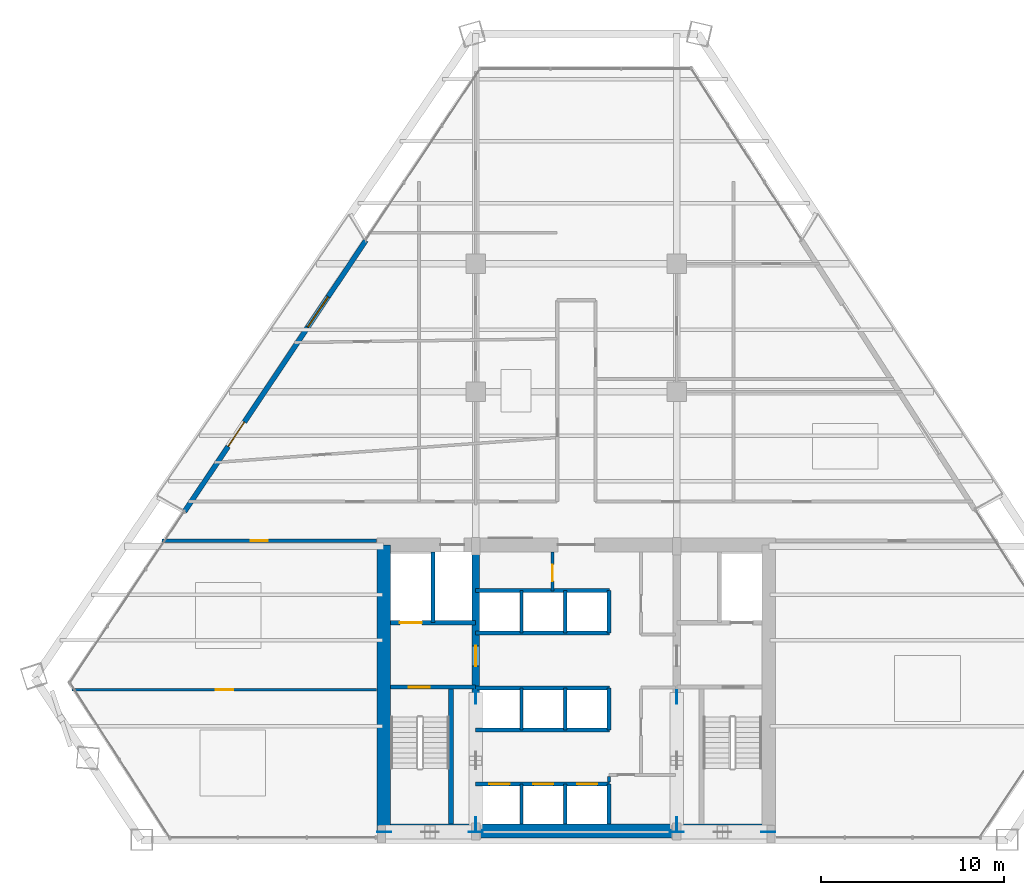
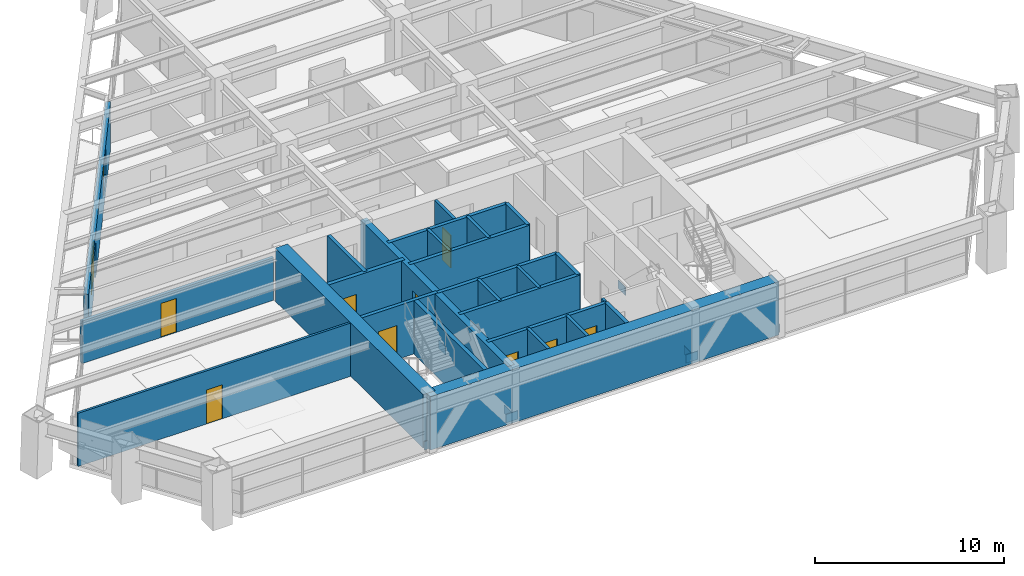
# One storey, part 10 of 14: 26 walls, 10 doors, 8 plates, 1 window, 11 openings.
"""IFC4 building model written with IfcOpenShell, lengths in metres."""

from ifc_helpers import new_model, si_unit, direction, frame, frame_2d, origin, origin_2d, place, context, subcontext, project, spatial, rectangle, extrude, source, transform, mapped, material, layer, layer_set, type_object, type_shapes, element, fill, save


model = new_model("IFC4")

# Units and contexts
model_context = context("Model", 3, precision=1e-05, world=origin(), true_north=direction((0.0, 1.0)))
body_context = subcontext(model_context, "Body", "Model", "MODEL_VIEW")
ifc_project = project(units=[si_unit("LENGTHUNIT", "METRE"), si_unit("AREAUNIT", "SQUARE_METRE"), si_unit("VOLUMEUNIT", "CUBIC_METRE"), si_unit("PLANEANGLEUNIT", "RADIAN"), si_unit("MASSUNIT", "GRAM", prefix="KILO")], contexts=[model_context])

# Site, building, storey
site_placement = place(None, origin())
site = spatial("IfcSite", under=ifc_project, at=site_placement, CompositionType="ELEMENT")
building_placement = place(site_placement, origin())
building = spatial("IfcBuilding", under=site, at=building_placement, Name="Varnakhor Terracotta Tower", CompositionType="ELEMENT")
storey_placement = place(building_placement, frame((0.0, 0.0, 106.199951171875)))
storey = spatial("IfcBuildingStorey", under=building, at=storey_placement, Name="L26", CompositionType="ELEMENT", Elevation=106.199951171875)

# Plates
ifc_material_1 = material(Name="Steel S460", Category="steel")
ifc_layer_1 = layer(ifc_material_1, 0.050048828125, Name="Steel S460")
ifc_layer_set_1 = layer_set([ifc_layer_1], Name="Steel S460")
plate_type = type_object("IfcPlateType", Name="PLT-GUSSET-50", PredefinedType="USERDEFINED", material=ifc_layer_set_1)
shared_shape_1 = source(origin(), body_context, "Body", "SweptSolid", [
    extrude(rectangle(XDim=0.75, YDim=0.0400390625, at=origin_2d()), origin(), (0.0, 0.0, 1.0), 0.550048828125),
])
type_shapes(plate_type, [shared_shape_1])
for number, where, z_axis, x_axis, name in (
    (1, (-10.5, 0.419921875, -0.09521484375), (0.0, 0.0, 1.0), (1.0, 0.0, 0.0), "L26 Core Brace Embed Plate CSWA"),
    (2, (-5.5, 0.419921875, -0.09521484375), (0.0, 0.0, 1.0), (1.0, 0.0, 0.0), "L26 Core Brace Embed Plate CSWB"),
    (3, (5.5, 0.419921875, -0.09521484375), (0.0, 0.0, 1.0), (1.0, 0.0, 0.0), "L26 Core Brace Embed Plate CSEA"),
    (4, (10.5, 0.419921875, -0.09521484375), (0.0, 0.0, 1.0), (1.0, 0.0, 0.0), "L26 Core Brace Embed Plate CSEB"),
    (5, (-5.5, 0.85009765625, -0.09521484375), (0.0, 0.0, 1.0), (0.0, 1.0, 0.0), "L26 Core Brace Embed Plate CWWA"),
    (6, (-5.5, 7.800048828125, -0.09521484375), (0.0, 0.0, 1.0), (0.0, 1.0, 0.0), "L26 Core Brace Embed Plate CWWB"),
    (7, (5.5, 0.85009765625, -0.09521484375), (0.0, 0.0, 1.0), (0.0, 1.0, 0.0), "L26 Core Brace Embed Plate CWEA"),
    (8, (5.5, 7.800048828125, -0.09521484375), (0.0, 0.0, 1.0), (0.0, 1.0, 0.0), "L26 Core Brace Embed Plate CWEB"),
):
    element("IfcPlate", number, at=place(storey_placement, frame(where, z_axis=z_axis, x_axis=x_axis)), inside=storey, type_object=plate_type, Name=name, ObjectType="GUSSET PLATE", PredefinedType="USERDEFINED", context=body_context, shape_type="MappedRepresentation", body=[
        mapped(shared_shape_1, transform((0.0, 0.0, 0.0), scale=1.0)),
    ])

# Walls
ifc_material_2 = material(Name="Concrete C60/75", Category="concrete")
ifc_layer_2 = layer(ifc_material_2, 0.75, Name="Concrete C60/75")
ifc_layer_set_2 = layer_set([ifc_layer_2], Name="Concrete C60/75")
wall_type_1 = type_object("IfcWallType", Name="WAL-CORE-750", PredefinedType="SHEAR", material=ifc_layer_set_2)
wall_1_placement = place(storey_placement, frame((-10.64990234375, 0.47509765625, 0.0), z_axis=(0.0, 0.0, 1.0), x_axis=(1.0, 0.0, 0.0)))
element("IfcWall", 9, at=wall_1_placement, inside=storey, type_object=wall_type_1, Name="L26 South Core Shear Wall", PredefinedType="SHEAR", context=body_context, shape_type="SweptSolid", body=[
    extrude(rectangle(XDim=21.2998046875, YDim=0.75, at=frame_2d((10.64990234375, 0.0))), origin(), (0.0, 0.0, 1.0), 3.449951171875),
])
wall_2_placement = place(storey_placement, frame((-10.52490234375, 0.47509765625, 0.0), z_axis=(0.0, 0.0, 1.0), x_axis=(0.0, 1.0, 0.0)))
element("IfcWall", 10, at=wall_2_placement, inside=storey, type_object=wall_type_1, Name="L26 West Core Shear Wall", PredefinedType="SHEAR", context=body_context, shape_type="SweptSolid", body=[
    extrude(rectangle(XDim=15.64990234375, YDim=0.75, at=frame_2d((7.824951171875, 0.0))), origin(), (0.0, 0.0, 1.0), 3.449951171875),
])

# Wall, opening, door
ifc_material_3 = material(Name="Concrete C50/60", Category="concrete")
ifc_layer_3 = layer(ifc_material_3, 0.39990234375, Name="Concrete C50/60")
ifc_layer_set_3 = layer_set([ifc_layer_3], Name="Concrete C50/60")
wall_type_2 = type_object("IfcWallType", Name="WAL-CORE-WEB-400", PredefinedType="SHEAR", material=ifc_layer_set_3)
wall_3_placement = place(storey_placement, frame((-5.5, 0.47509765625, 0.0), z_axis=(0.0, 0.0, 1.0), x_axis=(0.0, 1.0, 0.0)))
wall_3 = element("IfcWall", 11, at=wall_3_placement, inside=storey, type_object=wall_type_2, Name="L26 West Core Web Shear Wall", PredefinedType="SHEAR", context=body_context, shape_type="SweptSolid", body=[
    extrude(rectangle(XDim=15.64990234375, YDim=0.39990234375, at=frame_2d((7.824951171875, 0.0))), origin(), (0.0, 0.0, 1.0), 3.449951171875),
])
opening_1_placement = place(wall_3_placement, frame((9.02490234375, 0.0, 0.0)))
opening_1 = element("IfcOpeningElement", 12, at=opening_1_placement, cuts=wall_3, Name="Opening DR-25", PredefinedType="OPENING", context=body_context, shape_type="SweptSolid", body=[
    extrude(rectangle(XDim=1.10009765625, YDim=2.199951171875, at=frame_2d((0.550048828125, 1.10009765625))), frame((0.0, 0.2099609375, 0.0), z_axis=(0.0, -1.0, 0.0), x_axis=(1.0, 0.0, 0.0)), (0.0, 0.0, 1.0), 0.419921875),
])
ifc_material_4 = material(Name="Firefighting Lobby Self-Closing Fire Door", Category="steel")
door_type_1 = type_object("IfcDoorType", Name="DR-FFL-1100X2200", OperationType="NOTDEFINED", PredefinedType="DOOR", material=ifc_material_4)
shared_shape_2 = source(origin(), body_context, "Body", "SweptSolid", [
    extrude(rectangle(XDim=1.10009765625, YDim=2.199951171875, at=frame_2d((0.550048828125, 1.10009765625))), frame((0.0, 0.02490234375, 0.0), z_axis=(0.0, -1.0, 0.0), x_axis=(1.0, 0.0, 0.0)), (0.0, 0.0, 1.0), 0.050048828125),
])
type_shapes(door_type_1, [shared_shape_2])
door_1_placement = place(opening_1_placement, origin())
door_1 = element("IfcDoor", 13, at=door_1_placement, inside=storey, type_object=door_type_1, Name="L26 West Firefighting Lobby Door", OperationType="SINGLE_SWING_RIGHT", OverallHeight=2.199951171875, OverallWidth=1.10009765625, PredefinedType="DOOR", context=body_context, shape_type="MappedRepresentation", body=[
    mapped(shared_shape_2, transform((0.0, 0.0, 0.0), scale=1.0)),
])
fill(opening_1, door_1)

ifc_material_5 = material(Name="Fire-Rated Gypsum Stud Partition", Category="gypsum")
ifc_layer_4 = layer(ifc_material_5, 0.18505859375, Name="Fire-Rated Gypsum Stud Partition")
ifc_layer_set_4 = layer_set([ifc_layer_4], Name="Fire-Rated Gypsum Stud Partition")
wall_type_3 = type_object("IfcWallType", Name="WAL-CORR-185", PredefinedType="PARTITIONING", material=ifc_layer_set_4)
wall_4_placement = place(storey_placement, frame((-22.6494140625, 16.35009765625, 0.0), z_axis=(0.0, 0.0, 1.0), x_axis=(1.0, 0.0, 0.0)))
wall_4 = element("IfcWall", 14, at=wall_4_placement, inside=storey, type_object=wall_type_3, Name="L26 South West Corridor Wall", PredefinedType="PARTITIONING", context=body_context, shape_type="SweptSolid", body=[
    extrude(rectangle(XDim=11.7294921875, YDim=0.18505859375, at=frame_2d((5.86474609375, 0.0))), origin(), (0.0, 0.0, 1.0), 2.7470703125),
])
opening_2_placement = place(wall_4_placement, frame((4.83740234375, 0.0, 0.0)))
opening_2 = element("IfcOpeningElement", 15, at=opening_2_placement, cuts=wall_4, Name="Opening DR-94", PredefinedType="OPENING", context=body_context, shape_type="SweptSolid", body=[
    extrude(rectangle(XDim=0.949951171875, YDim=2.199951171875, at=frame_2d((0.47509765625, 1.10009765625))), frame((0.0, 0.1025390625, 0.0), z_axis=(0.0, -1.0, 0.0), x_axis=(1.0, 0.0, 0.0)), (0.0, 0.0, 1.0), 0.205078125),
])
ifc_material_6 = material(Name="Acoustic Glazed-Vision Timber Office Door", Category="wood")
door_type_2 = type_object("IfcDoorType", Name="DR-OFF-950X2200", OperationType="NOTDEFINED", PredefinedType="DOOR", material=ifc_material_6)
shared_shape_3 = source(origin(), body_context, "Body", "SweptSolid", [
    extrude(rectangle(XDim=0.949951171875, YDim=2.199951171875, at=frame_2d((0.47509765625, 1.10009765625))), frame((0.0, 0.02490234375, 0.0), z_axis=(0.0, -1.0, 0.0), x_axis=(1.0, 0.0, 0.0)), (0.0, 0.0, 1.0), 0.050048828125),
])
type_shapes(door_type_2, [shared_shape_3])
door_2_placement = place(opening_2_placement, origin())
door_2 = element("IfcDoor", 16, at=door_2_placement, inside=storey, type_object=door_type_2, Name="L26 SW Suite Door", OperationType="SINGLE_SWING_LEFT", OverallHeight=2.199951171875, OverallWidth=0.949951171875, PredefinedType="DOOR", context=body_context, shape_type="MappedRepresentation", body=[
    mapped(shared_shape_3, transform((0.0, 0.0, 0.0), scale=1.0)),
])
fill(opening_2, door_2)

# Wall, openings, door, window
ifc_material_7 = material(Name="Extruded Architectural Terracotta Assembly", Category="masonry")
ifc_layer_5 = layer(ifc_material_7, 0.280029296875, Name="Extruded Architectural Terracotta Assembly")
ifc_layer_set_5 = layer_set([ifc_layer_5], Name="Extruded Architectural Terracotta Assembly")
wall_type_4 = type_object("IfcWallType", Name="WAL-EXT-TERRACOTTA-280", PredefinedType="SOLIDWALL", material=ifc_layer_set_5)
wall_5_placement = place(storey_placement, frame((-21.418212890625, 17.958251953125, 0.0), z_axis=(0.0, 0.0, 1.0), x_axis=(0.555695210114, 0.83138609169, 0.0)))
wall_5 = element("IfcWall", 17, at=wall_5_placement, inside=storey, type_object=wall_type_4, Name="L26 W Loggia Insulated Terracotta Wall", PredefinedType="SOLIDWALL", context=body_context, shape_type="SweptSolid", body=[
    extrude(rectangle(XDim=17.828857421875, YDim=0.280029296875, at=frame_2d((8.91455078125, 0.0))), origin(), (0.0, 0.0, 1.0), 3.030029296875),
])
opening_3_placement = place(wall_5_placement, frame((4.27880859375, 0.0, 0.0)))
opening_3 = element("IfcOpeningElement", 18, at=opening_3_placement, cuts=wall_5, Name="Opening DR-62", PredefinedType="OPENING", context=body_context, shape_type="SweptSolid", body=[
    extrude(rectangle(XDim=1.60009765625, YDim=2.35009765625, at=frame_2d((0.800048828125, 1.175048828125))), frame((0.0, 0.14990234375, 0.0), z_axis=(0.0, -1.0, 0.0), x_axis=(1.0, 0.0, 0.0)), (0.0, 0.0, 1.0), 0.300048828125),
])
opening_4_placement = place(wall_5_placement, frame((12.123779296875, 0.0, 0.89990234375)))
opening_4 = element("IfcOpeningElement", 19, at=opening_4_placement, cuts=wall_5, Name="Opening WN-26", PredefinedType="OPENING", context=body_context, shape_type="SweptSolid", body=[
    extrude(rectangle(XDim=2.0, YDim=1.85009765625, at=frame_2d((1.0, 0.925048828125))), frame((0.0, 0.14990234375, 0.0), z_axis=(0.0, -1.0, 0.0), x_axis=(1.0, 0.0, 0.0)), (0.0, 0.0, 1.0), 0.300048828125),
])
ifc_material_8 = material(Name="Thermally Broken Sliding Glass Loggia Door", Category="glass")
door_type_3 = type_object("IfcDoorType", Name="DR-EXT-LOGGIA-1600X2350", OperationType="NOTDEFINED", PredefinedType="DOOR", material=ifc_material_8)
shared_shape_4 = source(origin(), body_context, "Body", "SweptSolid", [
    extrude(rectangle(XDim=1.60009765625, YDim=2.35009765625, at=frame_2d((0.800048828125, 1.175048828125))), frame((0.0, 0.02490234375, 0.0), z_axis=(0.0, -1.0, 0.0), x_axis=(1.0, 0.0, 0.0)), (0.0, 0.0, 1.0), 0.050048828125),
])
type_shapes(door_type_3, [shared_shape_4])
door_3_placement = place(opening_3_placement, origin())
door_3 = element("IfcDoor", 20, at=door_3_placement, inside=storey, type_object=door_type_3, Name="L26 W Recessed Loggia Sliding Door", OperationType="SLIDING_TO_LEFT", OverallHeight=2.35009765625, OverallWidth=1.60009765625, PredefinedType="DOOR", context=body_context, shape_type="MappedRepresentation", body=[
    mapped(shared_shape_4, transform((0.0, 0.0, 0.0), scale=1.0)),
])
fill(opening_3, door_3)
ifc_material_9 = material(Name="Solar-Control Low-E Insulated Glass Unit", Category="glass")
window_type = type_object("IfcWindowType", Name="WIN-OFF-2200X2100", PartitioningType="SINGLE_PANEL", PredefinedType="WINDOW", material=ifc_material_9)
shared_shape_5 = source(origin(), body_context, "Body", "SweptSolid", [
    extrude(rectangle(XDim=2.0, YDim=1.85009765625, at=frame_2d((1.0, 0.925048828125))), frame((0.0, 0.030029296875, 0.0), z_axis=(0.0, -1.0, 0.0), x_axis=(1.0, 0.0, 0.0)), (0.0, 0.0, 1.0), 0.06005859375),
])
type_shapes(window_type, [shared_shape_5])
window_placement = place(opening_4_placement, origin())
window = element("IfcWindow", 21, at=window_placement, inside=storey, type_object=window_type, Name="L26 W Facet Punched Window", OverallHeight=1.85009765625, OverallWidth=2.0, PartitioningType="SINGLE_PANEL", PredefinedType="WINDOW", context=body_context, shape_type="MappedRepresentation", body=[
    mapped(shared_shape_5, transform((0.0, 0.0, 0.0), scale=1.0)),
])
fill(opening_4, window)

# Wall, opening, door
ifc_material_10 = material(Name="Concrete C40/50", Category="concrete")
ifc_layer_6 = layer(ifc_material_10, 0.219970703125, Name="Concrete C40/50")
ifc_layer_set_6 = layer_set([ifc_layer_6], Name="Concrete C40/50")
wall_type_5 = type_object("IfcWallType", Name="WAL-FFLOBBY-220", PredefinedType="SOLIDWALL", material=ifc_layer_set_6)
wall_6_placement = place(storey_placement, frame((-5.5, 8.35009765625, 0.0), z_axis=(0.0, 0.0, 1.0), x_axis=(-1.0, 0.0, 0.0)))
wall_6 = element("IfcWall", 22, at=wall_6_placement, inside=storey, type_object=wall_type_5, Name="L26 West Firefighting Lobby Stair Wall", PredefinedType="SOLIDWALL", context=body_context, shape_type="SweptSolid", body=[
    extrude(rectangle(XDim=4.64990234375, YDim=0.219970703125, at=frame_2d((2.324951171875, 0.0))), origin(), (0.0, 0.0, 1.0), 3.449951171875),
])
opening_5_placement = place(wall_6_placement, frame((2.5, 0.0, 0.0)))
opening_5 = element("IfcOpeningElement", 23, at=opening_5_placement, cuts=wall_6, Name="Opening DR-34", PredefinedType="OPENING", context=body_context, shape_type="SweptSolid", body=[
    extrude(rectangle(XDim=1.14990234375, YDim=2.199951171875, at=frame_2d((0.574951171875, 1.10009765625))), frame((0.0, 0.1201171875, 0.0), z_axis=(0.0, -1.0, 0.0), x_axis=(1.0, 0.0, 0.0)), (0.0, 0.0, 1.0), 0.239990234375),
])
ifc_material_11 = material(Name="Self-Closing Smoke-Sealed Steel Fire Door", Category="steel")
door_type_4 = type_object("IfcDoorType", Name="DR-STAIR-1150X2200", OperationType="NOTDEFINED", PredefinedType="DOOR", material=ifc_material_11)
shared_shape_6 = source(origin(), body_context, "Body", "SweptSolid", [
    extrude(rectangle(XDim=1.14990234375, YDim=2.199951171875, at=frame_2d((0.574951171875, 1.10009765625))), frame((0.0, 0.02490234375, 0.0), z_axis=(0.0, -1.0, 0.0), x_axis=(1.0, 0.0, 0.0)), (0.0, 0.0, 1.0), 0.050048828125),
])
type_shapes(door_type_4, [shared_shape_6])
door_4_placement = place(opening_5_placement, origin())
door_4 = element("IfcDoor", 24, at=door_4_placement, inside=storey, type_object=door_type_4, Name="L26 Exit Stair ST-1 Fire Door", OperationType="SINGLE_SWING_LEFT", OverallHeight=2.199951171875, OverallWidth=1.14990234375, PredefinedType="DOOR", context=body_context, shape_type="MappedRepresentation", body=[
    mapped(shared_shape_6, transform((0.0, 0.0, 0.0), scale=1.0)),
])
fill(opening_5, door_4)

ifc_material_12 = material(Name="Acoustic Metal-Stud Partition", Category="gypsum")
ifc_layer_7 = layer(ifc_material_12, 0.139892578125, Name="Acoustic Metal-Stud Partition")
ifc_layer_set_7 = layer_set([ifc_layer_7], Name="Acoustic Metal-Stud Partition")
wall_type_6 = type_object("IfcWallType", Name="WAL-PART-140", PredefinedType="PARTITIONING", material=ifc_layer_set_7)
wall_7_placement = place(storey_placement, frame((-27.567626953125, 8.199951171875, 0.0), z_axis=(0.0, 0.0, 1.0), x_axis=(1.0, 0.0, 0.0)))
wall_7 = element("IfcWall", 25, at=wall_7_placement, inside=storey, type_object=wall_type_6, Name="L26 South West Cut 1", PredefinedType="PARTITIONING", context=body_context, shape_type="SweptSolid", body=[
    extrude(rectangle(XDim=16.647705078125, YDim=0.139892578125, at=frame_2d((8.32373046875, 0.0))), origin(), (0.0, 0.0, 1.0), 3.442138671875),
])
opening_6_placement = place(wall_7_placement, frame((7.857666015625, 0.0, 0.0)))
opening_6 = element("IfcOpeningElement", 26, at=opening_6_placement, cuts=wall_7, Name="Opening DR-94", PredefinedType="OPENING", context=body_context, shape_type="SweptSolid", body=[
    extrude(rectangle(XDim=0.949951171875, YDim=2.199951171875, at=frame_2d((0.47509765625, 1.10009765625))), frame((0.0, 0.080078125, 0.0), z_axis=(0.0, -1.0, 0.0), x_axis=(1.0, 0.0, 0.0)), (0.0, 0.0, 1.0), 0.159912109375),
])
door_5_placement = place(opening_6_placement, origin())
door_5 = element("IfcDoor", 27, at=door_5_placement, inside=storey, type_object=door_type_2, Name="L26 South West Executive Office Door", OperationType="SINGLE_SWING_LEFT", OverallHeight=2.199951171875, OverallWidth=0.949951171875, PredefinedType="DOOR", context=body_context, shape_type="MappedRepresentation", body=[
    mapped(shared_shape_3, transform((0.0, 0.0, 0.0), scale=1.0)),
])
fill(opening_6, door_5)

# Walls
ifc_layer_8 = layer(ifc_material_10, 0.179931640625, Name="Concrete C40/50")
ifc_layer_set_8 = layer_set([ifc_layer_8], Name="Concrete C40/50")
wall_type_7 = type_object("IfcWallType", Name="WAL-SHAFT-180", PredefinedType="SOLIDWALL", material=ifc_layer_set_8)
for number, where, z_axis, x_axis, name in (
    (28, (-3.0, 0.85009765625, 0.0), (0.0, 0.0, 1.0), (0.0, 1.0, 0.0), "L26 PL-1A Divider"),
    (29, (-0.60009765625, 0.85009765625, 0.0), (0.0, 0.0, 1.0), (0.0, 1.0, 0.0), "L26 PL-1B Divider"),
):
    element("IfcWall", number, at=place(storey_placement, frame(where, z_axis=z_axis, x_axis=x_axis)), inside=storey, type_object=wall_type_7, Name=name, PredefinedType="SOLIDWALL", context=body_context, shape_type="SweptSolid", body=[
        extrude(rectangle(XDim=2.199951171875, YDim=0.179931640625, at=frame_2d((1.10009765625, 0.0))), origin(), (0.0, 0.0, 1.0), 3.449951171875),
    ])
for number, where, z_axis, x_axis, name in (
    (30, (-3.0, 6.0, 0.0), (0.0, 0.0, 1.0), (0.0, 1.0, 0.0), "L26 PL-2A Divider"),
    (31, (-0.60009765625, 6.0, 0.0), (0.0, 0.0, 1.0), (0.0, 1.0, 0.0), "L26 PL-2B Divider"),
    (32, (-3.0, 11.320068359375, 0.0), (0.0, 0.0, 1.0), (0.0, 1.0, 0.0), "L26 PL-3A Divider"),
    (33, (-0.60009765625, 11.320068359375, 0.0), (0.0, 0.0, 1.0), (0.0, 1.0, 0.0), "L26 PL-3B Divider"),
):
    element("IfcWall", number, at=place(storey_placement, frame(where, z_axis=z_axis, x_axis=x_axis)), inside=storey, type_object=wall_type_7, Name=name, PredefinedType="SOLIDWALL", context=body_context, shape_type="SweptSolid", body=[
        extrude(rectangle(XDim=2.300048828125, YDim=0.179931640625, at=frame_2d((1.14990234375, 0.0))), origin(), (0.0, 0.0, 1.0), 3.449951171875),
    ])
ifc_layer_9 = layer(ifc_material_10, 0.219970703125, Name="Concrete C40/50")
ifc_layer_set_9 = layer_set([ifc_layer_9], Name="Concrete C40/50")
wall_type_8 = type_object("IfcWallType", Name="WAL-SHAFT-220", PredefinedType="SOLIDWALL", material=ifc_layer_set_9)
wall_8_placement = place(storey_placement, frame((-7.840087890625, 11.8701171875, 0.0), z_axis=(0.0, 0.0, 1.0), x_axis=(0.0, 1.0, 0.0)))
element("IfcWall", 34, at=wall_8_placement, inside=storey, type_object=wall_type_8, Name="L26 Lift FFL-1 and SVL-1 Divider Wall", PredefinedType="SOLIDWALL", context=body_context, shape_type="SweptSolid", body=[
    extrude(rectangle(XDim=3.8798828125, YDim=0.219970703125, at=frame_2d((1.93994140625, 0.0))), origin(), (0.0, 0.0, 1.0), 3.449951171875),
])

# Wall, openings, doors
wall_9_placement = place(storey_placement, frame((-5.5, 3.050048828125, 0.0), z_axis=(0.0, 0.0, 1.0), x_axis=(1.0, 0.0, 0.0)))
wall_9 = element("IfcWall", 35, at=wall_9_placement, inside=storey, type_object=wall_type_8, Name="L26 Bank 1 Lift Shaft Wall", PredefinedType="SOLIDWALL", context=body_context, shape_type="SweptSolid", body=[
    extrude(rectangle(XDim=7.320068359375, YDim=0.219970703125, at=frame_2d((3.66015625, 0.0))), origin(), (0.0, 0.0, 1.0), 3.449951171875),
])
opening_7_placement = place(wall_9_placement, frame((0.75, 0.0, 0.0)))
opening_7 = element("IfcOpeningElement", 36, at=opening_7_placement, cuts=wall_9, Name="Opening LD-01", PredefinedType="OPENING", context=body_context, shape_type="SweptSolid", body=[
    extrude(rectangle(XDim=1.10009765625, YDim=2.199951171875, at=frame_2d((0.550048828125, 1.10009765625))), frame((0.0, 0.1201171875, 0.0), z_axis=(0.0, -1.0, 0.0), x_axis=(1.0, 0.0, 0.0)), (0.0, 0.0, 1.0), 0.239990234375),
])
opening_8_placement = place(wall_9_placement, frame((3.14990234375, 0.0, 0.0)))
opening_8 = element("IfcOpeningElement", 37, at=opening_8_placement, cuts=wall_9, Name="Opening LD-01", PredefinedType="OPENING", context=body_context, shape_type="SweptSolid", body=[
    extrude(rectangle(XDim=1.10009765625, YDim=2.199951171875, at=frame_2d((0.550048828125, 1.10009765625))), frame((0.0, 0.1201171875, 0.0), z_axis=(0.0, -1.0, 0.0), x_axis=(1.0, 0.0, 0.0)), (0.0, 0.0, 1.0), 0.239990234375),
])
opening_9_placement = place(wall_9_placement, frame((5.550048828125, 0.0, 0.0)))
opening_9 = element("IfcOpeningElement", 38, at=opening_9_placement, cuts=wall_9, Name="Opening LD-01", PredefinedType="OPENING", context=body_context, shape_type="SweptSolid", body=[
    extrude(rectangle(XDim=1.10009765625, YDim=2.199951171875, at=frame_2d((0.550048828125, 1.10009765625))), frame((0.0, 0.1201171875, 0.0), z_axis=(0.0, -1.0, 0.0), x_axis=(1.0, 0.0, 0.0)), (0.0, 0.0, 1.0), 0.239990234375),
])
ifc_material_13 = material(Name="Brushed Stainless Steel Sliding Lift Landing Door", Category="steel")
door_type_5 = type_object("IfcDoorType", Name="LD-PASS-1100X2200", OperationType="NOTDEFINED", PredefinedType="DOOR", material=ifc_material_13)
shared_shape_7 = source(origin(), body_context, "Body", "SweptSolid", [
    extrude(rectangle(XDim=1.10009765625, YDim=2.199951171875, at=frame_2d((0.550048828125, 1.10009765625))), frame((0.0, 0.02490234375, 0.0), z_axis=(0.0, -1.0, 0.0), x_axis=(1.0, 0.0, 0.0)), (0.0, 0.0, 1.0), 0.050048828125),
])
type_shapes(door_type_5, [shared_shape_7])
door_6_placement = place(opening_7_placement, origin())
door_6 = element("IfcDoor", 39, at=door_6_placement, inside=storey, type_object=door_type_5, Name="L26 Passenger Lift PL-1A Landing Door", OperationType="SLIDING_TO_RIGHT", OverallHeight=2.199951171875, OverallWidth=1.10009765625, PredefinedType="DOOR", context=body_context, shape_type="MappedRepresentation", body=[
    mapped(shared_shape_7, transform((0.0, 0.0, 0.0), scale=1.0)),
])
fill(opening_7, door_6)
door_7_placement = place(opening_8_placement, origin())
door_7 = element("IfcDoor", 40, at=door_7_placement, inside=storey, type_object=door_type_5, Name="L26 Passenger Lift PL-1B Landing Door", OperationType="SLIDING_TO_RIGHT", OverallHeight=2.199951171875, OverallWidth=1.10009765625, PredefinedType="DOOR", context=body_context, shape_type="MappedRepresentation", body=[
    mapped(shared_shape_7, transform((0.0, 0.0, 0.0), scale=1.0)),
])
fill(opening_8, door_7)
door_8_placement = place(opening_9_placement, origin())
door_8 = element("IfcDoor", 41, at=door_8_placement, inside=storey, type_object=door_type_5, Name="L26 Passenger Lift PL-1C Landing Door", OperationType="SLIDING_TO_RIGHT", OverallHeight=2.199951171875, OverallWidth=1.10009765625, PredefinedType="DOOR", context=body_context, shape_type="MappedRepresentation", body=[
    mapped(shared_shape_7, transform((0.0, 0.0, 0.0), scale=1.0)),
])
fill(opening_9, door_8)

# Walls
wall_10_placement = place(storey_placement, frame((1.800048828125, 0.85009765625, 0.0), z_axis=(0.0, 0.0, 1.0), x_axis=(0.0, 1.0, 0.0)))
element("IfcWall", 42, at=wall_10_placement, inside=storey, type_object=wall_type_8, Name="L26 Bank 1 East Shaft Wall", PredefinedType="SOLIDWALL", context=body_context, shape_type="SweptSolid", body=[
    extrude(rectangle(XDim=2.199951171875, YDim=0.219970703125, at=frame_2d((1.10009765625, 0.0))), origin(), (0.0, 0.0, 1.0), 3.449951171875),
])
for number, where, z_axis, x_axis, name in (
    (43, (-5.5, 6.0, 0.0), (0.0, 0.0, 1.0), (1.0, 0.0, 0.0), "L26 Bank 2 South Shaft Wall"),
    (44, (-5.5, 8.300048828125, 0.0), (0.0, 0.0, 1.0), (1.0, 0.0, 0.0), "L26 Bank 2 North Shaft Wall"),
):
    element("IfcWall", number, at=place(storey_placement, frame(where, z_axis=z_axis, x_axis=x_axis)), inside=storey, type_object=wall_type_8, Name=name, PredefinedType="SOLIDWALL", context=body_context, shape_type="SweptSolid", body=[
        extrude(rectangle(XDim=7.320068359375, YDim=0.219970703125, at=frame_2d((3.66015625, 0.0))), origin(), (0.0, 0.0, 1.0), 3.449951171875),
    ])
wall_11_placement = place(storey_placement, frame((1.800048828125, 6.0, 0.0), z_axis=(0.0, 0.0, 1.0), x_axis=(0.0, 1.0, 0.0)))
element("IfcWall", 45, at=wall_11_placement, inside=storey, type_object=wall_type_8, Name="L26 Bank 2 East Shaft Wall", PredefinedType="SOLIDWALL", context=body_context, shape_type="SweptSolid", body=[
    extrude(rectangle(XDim=2.300048828125, YDim=0.219970703125, at=frame_2d((1.14990234375, 0.0))), origin(), (0.0, 0.0, 1.0), 3.449951171875),
])
for number, where, z_axis, x_axis, name in (
    (46, (-5.5, 11.320068359375, 0.0), (0.0, 0.0, 1.0), (1.0, 0.0, 0.0), "L26 Bank 3 South Shaft Wall"),
    (47, (-5.5, 13.6201171875, 0.0), (0.0, 0.0, 1.0), (1.0, 0.0, 0.0), "L26 Bank 3 North Shaft Wall"),
):
    element("IfcWall", number, at=place(storey_placement, frame(where, z_axis=z_axis, x_axis=x_axis)), inside=storey, type_object=wall_type_8, Name=name, PredefinedType="SOLIDWALL", context=body_context, shape_type="SweptSolid", body=[
        extrude(rectangle(XDim=7.320068359375, YDim=0.219970703125, at=frame_2d((3.66015625, 0.0))), origin(), (0.0, 0.0, 1.0), 3.449951171875),
    ])
wall_12_placement = place(storey_placement, frame((1.800048828125, 11.320068359375, 0.0), z_axis=(0.0, 0.0, 1.0), x_axis=(0.0, 1.0, 0.0)))
element("IfcWall", 48, at=wall_12_placement, inside=storey, type_object=wall_type_8, Name="L26 Bank 3 East Shaft Wall", PredefinedType="SOLIDWALL", context=body_context, shape_type="SweptSolid", body=[
    extrude(rectangle(XDim=2.300048828125, YDim=0.219970703125, at=frame_2d((1.14990234375, 0.0))), origin(), (0.0, 0.0, 1.0), 3.449951171875),
])
ifc_layer_10 = layer(ifc_material_10, 0.25, Name="Concrete C40/50")
ifc_layer_set_10 = layer_set([ifc_layer_10], Name="Concrete C40/50")
wall_type_9 = type_object("IfcWallType", Name="WAL-SHAFT-250", PredefinedType="SOLIDWALL", material=ifc_layer_set_10)
wall_13_placement = place(storey_placement, frame((-6.85009765625, 0.85009765625, 0.0), z_axis=(0.0, 0.0, 1.0), x_axis=(0.0, 1.0, 0.0)))
element("IfcWall", 49, at=wall_13_placement, inside=storey, type_object=wall_type_9, Name="L26 Stair ST-1 Bearing Shaft Wall", PredefinedType="SOLIDWALL", context=body_context, shape_type="SweptSolid", body=[
    extrude(rectangle(XDim=7.5, YDim=0.25, at=frame_2d((3.75, 0.0))), origin(), (0.0, 0.0, 1.0), 3.449951171875),
])

# Wall, opening, door
wall_14_placement = place(storey_placement, frame((-5.5, 11.8701171875, 0.0), z_axis=(0.0, 0.0, 1.0), x_axis=(-1.0, 0.0, 0.0)))
wall_14 = element("IfcWall", 50, at=wall_14_placement, inside=storey, type_object=wall_type_9, Name="L26 Lift FFL-1 Shaft Front Wall", PredefinedType="SOLIDWALL", context=body_context, shape_type="SweptSolid", body=[
    extrude(rectangle(XDim=4.64990234375, YDim=0.25, at=frame_2d((2.324951171875, 0.0))), origin(), (0.0, 0.0, 1.0), 3.449951171875),
])
opening_10_placement = place(wall_14_placement, frame((2.949951171875, 0.0, 0.0)))
opening_10 = element("IfcOpeningElement", 51, at=opening_10_placement, cuts=wall_14, Name="Opening LD-02", PredefinedType="OPENING", context=body_context, shape_type="SweptSolid", body=[
    extrude(rectangle(XDim=1.199951171875, YDim=2.25, at=frame_2d((0.60009765625, 1.125))), frame((0.0, 0.135009765625, 0.0), z_axis=(0.0, -1.0, 0.0), x_axis=(1.0, 0.0, 0.0)), (0.0, 0.0, 1.0), 0.27001953125),
])
ifc_material_14 = material(Name="Firefighting Stretcher Sliding Lift Landing Door", Category="steel")
door_type_6 = type_object("IfcDoorType", Name="LD-FFL-1200X2250", OperationType="NOTDEFINED", PredefinedType="DOOR", material=ifc_material_14)
shared_shape_8 = source(origin(), body_context, "Body", "SweptSolid", [
    extrude(rectangle(XDim=1.199951171875, YDim=2.25, at=frame_2d((0.60009765625, 1.125))), frame((0.0, 0.02490234375, 0.0), z_axis=(0.0, -1.0, 0.0), x_axis=(1.0, 0.0, 0.0)), (0.0, 0.0, 1.0), 0.050048828125),
])
type_shapes(door_type_6, [shared_shape_8])
door_9_placement = place(opening_10_placement, origin())
door_9 = element("IfcDoor", 52, at=door_9_placement, inside=storey, type_object=door_type_6, Name="L26 Firefighting Lift FFL-1 Landing Door", OperationType="SLIDING_TO_LEFT", OverallHeight=2.25, OverallWidth=1.199951171875, PredefinedType="DOOR", context=body_context, shape_type="MappedRepresentation", body=[
    mapped(shared_shape_8, transform((0.0, 0.0, 0.0), scale=1.0)),
])
fill(opening_10, door_9)

# Wall
ifc_material_15 = material(Name="Acoustic Fire-Rated Partition", Category="gypsum")
ifc_layer_11 = layer(ifc_material_15, 0.1650390625, Name="Acoustic Fire-Rated Partition")
ifc_layer_set_11 = layer_set([ifc_layer_11], Name="Acoustic Fire-Rated Partition")
wall_type_10 = type_object("IfcWallType", Name="WAL-TENANCY-165", PredefinedType="PARTITIONING", material=ifc_layer_set_11)
wall_15_placement = place(storey_placement, frame((1.800048828125, 3.159912109375, 0.0), z_axis=(0.0, 0.0, 1.0), x_axis=(0.0, 1.0, 0.0)))
element("IfcWall", 53, at=wall_15_placement, inside=storey, type_object=wall_type_10, Name="L26 Core South West Return Wall", PredefinedType="PARTITIONING", context=body_context, shape_type="SweptSolid", body=[
    extrude(rectangle(XDim=0.3076171875, YDim=0.1650390625, at=frame_2d((0.15380859375, 0.0))), origin(), (0.0, 0.0, 1.0), 3.442138671875),
])

# Wall, opening, door
wall_16_placement = place(storey_placement, frame((-1.300048828125, 13.60009765625, 0.0), z_axis=(0.0, 0.0, 1.0), x_axis=(0.0, 1.0, 0.0)))
wall_16 = element("IfcWall", 54, at=wall_16_placement, inside=storey, type_object=wall_type_10, Name="L26 Male Restroom Wall", PredefinedType="PARTITIONING", context=body_context, shape_type="SweptSolid", body=[
    extrude(rectangle(XDim=2.14990234375, YDim=0.1650390625, at=frame_2d((1.074951171875, 0.0))), origin(), (0.0, 0.0, 1.0), 3.442138671875),
])
opening_11_placement = place(wall_16_placement, frame((0.550048828125, 0.0, 0.0)))
opening_11 = element("IfcOpeningElement", 55, at=opening_11_placement, cuts=wall_16, Name="Opening DR-67", PredefinedType="OPENING", context=body_context, shape_type="SweptSolid", body=[
    extrude(rectangle(XDim=0.89990234375, YDim=2.10009765625, at=frame_2d((0.449951171875, 1.050048828125))), frame((0.0, 0.092529296875, 0.0), z_axis=(0.0, -1.0, 0.0), x_axis=(1.0, 0.0, 0.0)), (0.0, 0.0, 1.0), 0.18505859375),
])
ifc_material_16 = material(Name="Steel Service Riser Fire Door", Category="steel")
door_type_7 = type_object("IfcDoorType", Name="DR-RISER-900X2100", OperationType="NOTDEFINED", PredefinedType="DOOR", material=ifc_material_16)
shared_shape_9 = source(origin(), body_context, "Body", "SweptSolid", [
    extrude(rectangle(XDim=0.89990234375, YDim=2.10009765625, at=frame_2d((0.449951171875, 1.050048828125))), frame((0.0, 0.02490234375, 0.0), z_axis=(0.0, -1.0, 0.0), x_axis=(1.0, 0.0, 0.0)), (0.0, 0.0, 1.0), 0.050048828125),
])
type_shapes(door_type_7, [shared_shape_9])
door_10_placement = place(opening_11_placement, origin())
door_10 = element("IfcDoor", 56, at=door_10_placement, inside=storey, type_object=door_type_7, Name="L26 Male WC Door", OperationType="SINGLE_SWING_LEFT", OverallHeight=2.10009765625, OverallWidth=0.89990234375, PredefinedType="DOOR", context=body_context, shape_type="MappedRepresentation", body=[
    mapped(shared_shape_9, transform((0.0, 0.0, 0.0), scale=1.0)),
])
fill(opening_11, door_10)

save(model, "model.ifc")
